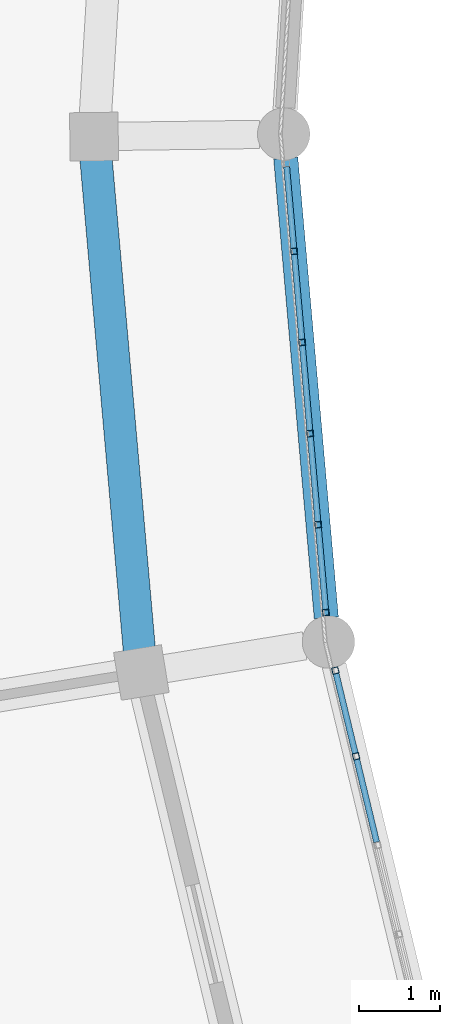
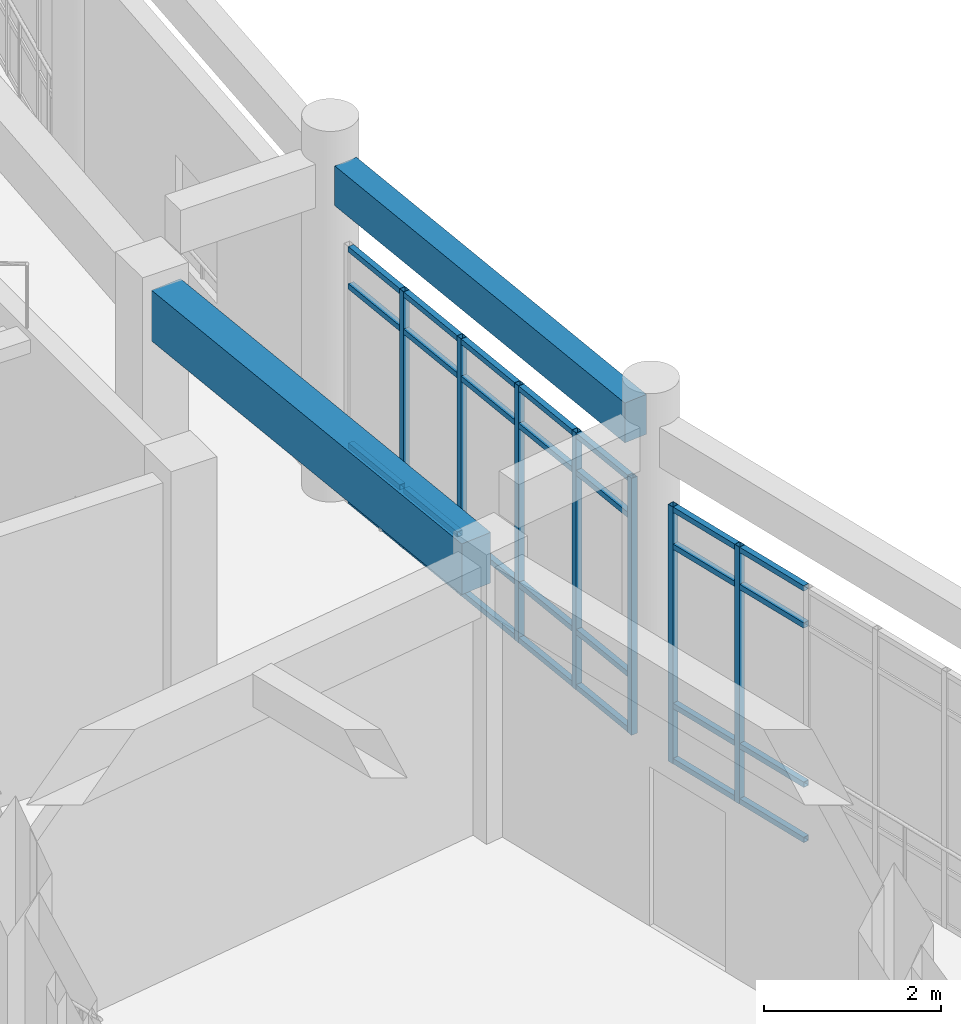
# One storey, part 27 of 159: 35 members, 2 beams, 2 elements without a shape of their own.
"""IFC4 building model written with IfcOpenShell, lengths in metres."""

from ifc_helpers import new_model, si_unit, direction, frame, origin, origin_2d, place, context, subcontext, project, spatial, rectangle, hollow_rectangle, extrude, material, material_profile, profile_set, type_object, element, aggregate, save


model = new_model("IFC4")

# Units and contexts
model_context = context("Model", 3, precision=1e-05, world=origin(), true_north=direction((0.0, 1.0)))
body_context = subcontext(model_context, "Body", "Model", "MODEL_VIEW")
ifc_project = project(units=[si_unit("LENGTHUNIT", "METRE"), si_unit("AREAUNIT", "SQUARE_METRE"), si_unit("VOLUMEUNIT", "CUBIC_METRE"), si_unit("PLANEANGLEUNIT", "RADIAN"), si_unit("MASSUNIT", "GRAM", prefix="KILO")], contexts=[model_context])

# Site, building, storey
site_placement = place(None, origin())
site = spatial("IfcSite", under=ifc_project, at=site_placement, CompositionType="ELEMENT")
building_placement = place(site_placement, origin())
building = spatial("IfcBuilding", under=site, at=building_placement, Name="Celadon Cloister-Ring School", CompositionType="ELEMENT")
storey_placement = place(building_placement, frame((0.0, 0.0, 4.5)))
storey = spatial("IfcBuildingStorey", under=building, at=storey_placement, Name="L01", CompositionType="ELEMENT", Elevation=4.5)

# Curtain wall, members
ifc_material_1 = material(Name="Aluminium EN AW-6063 T6", Category="aluminium")
curtain_wall_type = type_object("IfcCurtainWallType", Name="CW-01", PredefinedType="USERDEFINED", material=ifc_material_1)
curtain_wall_1_placement = place(storey_placement, origin())
curtain_wall_1 = element("IfcCurtainWall", 1, at=curtain_wall_1_placement, inside=storey, type_object=curtain_wall_type, Name="Curtain Wall 0025", ObjectType="CURTAIN WALL", PredefinedType="USERDEFINED")
ifc_material_2 = material(Name="Aluminium EN AW-6063 T6", Category="aluminium")
ifc_material_profile_1 = material_profile(ifc_material_2, hollow_rectangle(XDim=0.080078125, YDim=0.080078125, WallThickness=0.00390625, at=origin_2d()), Name="RHS80X80X4")
ifc_profile_set_1 = profile_set([ifc_material_profile_1], Name="Aluminium EN AW-6063 T6")
member_type_1 = type_object("IfcMemberType", Name="CM-03", PredefinedType="MULLION", material=ifc_profile_set_1)
member_1_placement = place(storey_placement, frame((44.482421875, 56.956787109375, 0.0), z_axis=(0.0, 0.0, 1.0), x_axis=(0.996148002222, 0.087687842199, 0.0)))
member_1 = element("IfcMember", 2, at=member_1_placement, type_object=member_type_1, Name="CW-01 mullion 2", PredefinedType="MULLION", context=body_context, shape_type="SweptSolid", body=[
    extrude(hollow_rectangle(XDim=0.080078125, YDim=0.080078125, WallThickness=0.00390625, at=origin_2d()), origin(), (0.0, 0.0, 1.0), 3.550048828125),
])
member_2_placement = place(storey_placement, frame((44.581787109375, 55.82763671875, 0.0), z_axis=(0.0, 0.0, 1.0), x_axis=(0.996148002222, 0.087687842199, 0.0)))
member_2 = element("IfcMember", 3, at=member_2_placement, type_object=member_type_1, Name="CW-01 mullion 3", PredefinedType="MULLION", context=body_context, shape_type="SweptSolid", body=[
    extrude(hollow_rectangle(XDim=0.080078125, YDim=0.080078125, WallThickness=0.00390625, at=origin_2d()), origin(), (0.0, 0.0, 1.0), 3.550048828125),
])
member_3_placement = place(storey_placement, frame((44.68115234375, 54.698486328125, 0.0), z_axis=(0.0, 0.0, 1.0), x_axis=(0.996148002222, 0.087687842199, 0.0)))
member_3 = element("IfcMember", 4, at=member_3_placement, type_object=member_type_1, Name="CW-01 mullion 4", PredefinedType="MULLION", context=body_context, shape_type="SweptSolid", body=[
    extrude(hollow_rectangle(XDim=0.080078125, YDim=0.080078125, WallThickness=0.00390625, at=origin_2d()), origin(), (0.0, 0.0, 1.0), 3.550048828125),
])
member_4_placement = place(storey_placement, frame((44.780517578125, 53.569091796875, 0.0), z_axis=(0.0, 0.0, 1.0), x_axis=(0.996148002222, 0.087687842199, 0.0)))
member_4 = element("IfcMember", 5, at=member_4_placement, type_object=member_type_1, Name="CW-01 mullion 5", PredefinedType="MULLION", context=body_context, shape_type="SweptSolid", body=[
    extrude(hollow_rectangle(XDim=0.080078125, YDim=0.080078125, WallThickness=0.00390625, at=origin_2d()), origin(), (0.0, 0.0, 1.0), 3.550048828125),
])
member_5_placement = place(storey_placement, frame((44.87646484375, 52.479736328125, 0.0), z_axis=(0.0, 0.0, 1.0), x_axis=(0.996148002222, 0.087687842199, 0.0)))
member_5 = element("IfcMember", 6, at=member_5_placement, type_object=member_type_1, Name="CW-01 mullion 6", PredefinedType="MULLION", context=body_context, shape_type="SweptSolid", body=[
    extrude(hollow_rectangle(XDim=0.080078125, YDim=0.080078125, WallThickness=0.00390625, at=origin_2d()), origin(), (0.0, 0.0, 1.0), 3.550048828125),
])

curtain_wall_2_placement = place(storey_placement, origin())
curtain_wall_2 = element("IfcCurtainWall", 7, at=curtain_wall_2_placement, inside=storey, type_object=curtain_wall_type, Name="Curtain Wall 0026", ObjectType="CURTAIN WALL", PredefinedType="USERDEFINED")
member_6_placement = place(storey_placement, frame((44.994384765625, 51.76123046875, 0.0), z_axis=(0.0, 0.0, 1.0), x_axis=(0.972212485146, 0.234100157469, 0.0)))
member_6 = element("IfcMember", 8, at=member_6_placement, type_object=member_type_1, Name="CW-01 mullion 1", PredefinedType="MULLION", context=body_context, shape_type="SweptSolid", body=[
    extrude(hollow_rectangle(XDim=0.080078125, YDim=0.080078125, WallThickness=0.00390625, at=origin_2d()), origin(), (0.0, 0.0, 1.0), 3.550048828125),
])
member_7_placement = place(storey_placement, frame((45.25048828125, 50.69775390625, 0.0), z_axis=(0.0, 0.0, 1.0), x_axis=(0.972212485146, 0.234100157469, 0.0)))
member_7 = element("IfcMember", 9, at=member_7_placement, type_object=member_type_1, Name="CW-01 mullion 2", PredefinedType="MULLION", context=body_context, shape_type="SweptSolid", body=[
    extrude(hollow_rectangle(XDim=0.080078125, YDim=0.080078125, WallThickness=0.00390625, at=origin_2d()), origin(), (0.0, 0.0, 1.0), 3.550048828125),
])

# Member
ifc_material_3 = material(Name="Aluminium EN AW-6063 T6", Category="aluminium")
ifc_material_profile_2 = material_profile(ifc_material_3, hollow_rectangle(XDim=0.074951171875, YDim=0.074951171875, WallThickness=0.00390625, at=origin_2d()), Name="RHS75X75X4")
ifc_profile_set_2 = profile_set([ifc_material_profile_2], Name="Aluminium EN AW-6063 T6")
member_type_2 = type_object("IfcMemberType", Name="CTM-03", PredefinedType="USERDEFINED", material=ifc_profile_set_2)
member_8_placement = place(storey_placement, frame((44.39013671875, 58.00634765625, 0.03759765625), z_axis=(0.087668878236, -0.996149671379, 0.0), x_axis=(0.996149671379, 0.087668878236, 0.0)))
member_8 = element("IfcMember", 10, at=member_8_placement, type_object=member_type_2, Name="CW-01 transom 1.1", ObjectType="TRANSOM", PredefinedType="USERDEFINED", context=body_context, shape_type="SweptSolid", body=[
    extrude(hollow_rectangle(XDim=0.074951171875, YDim=0.074951171875, WallThickness=0.00390625, at=origin_2d()), origin(), (0.0, 0.0, 1.0), 1.013671875),
])

member_9_placement = place(storey_placement, frame((44.39013671875, 58.00634765625, 0.800048828125), z_axis=(0.087668878236, -0.996149671379, 0.0), x_axis=(0.996149671379, 0.087668878236, 0.0)))
member_9 = element("IfcMember", 11, at=member_9_placement, type_object=member_type_2, Name="CW-01 transom 1.2", ObjectType="TRANSOM", PredefinedType="USERDEFINED", context=body_context, shape_type="SweptSolid", body=[
    extrude(hollow_rectangle(XDim=0.074951171875, YDim=0.074951171875, WallThickness=0.00390625, at=origin_2d()), origin(), (0.0, 0.0, 1.0), 1.013671875),
])

member_10_placement = place(storey_placement, frame((44.39013671875, 58.00634765625, 3.0), z_axis=(0.087668878236, -0.996149671379, 0.0), x_axis=(0.996149671379, 0.087668878236, 0.0)))
member_10 = element("IfcMember", 12, at=member_10_placement, type_object=member_type_2, Name="CW-01 transom 1.3", ObjectType="TRANSOM", PredefinedType="USERDEFINED", context=body_context, shape_type="SweptSolid", body=[
    extrude(hollow_rectangle(XDim=0.074951171875, YDim=0.074951171875, WallThickness=0.00390625, at=origin_2d()), origin(), (0.0, 0.0, 1.0), 1.013671875),
])

member_11_placement = place(storey_placement, frame((44.39013671875, 58.00634765625, 3.512451171875), z_axis=(0.087668878236, -0.996149671379, 0.0), x_axis=(0.996149671379, 0.087668878236, 0.0)))
member_11 = element("IfcMember", 13, at=member_11_placement, type_object=member_type_2, Name="CW-01 transom 1.4", ObjectType="TRANSOM", PredefinedType="USERDEFINED", context=body_context, shape_type="SweptSolid", body=[
    extrude(hollow_rectangle(XDim=0.074951171875, YDim=0.074951171875, WallThickness=0.00390625, at=origin_2d()), origin(), (0.0, 0.0, 1.0), 1.013671875),
])

member_12_placement = place(storey_placement, frame((44.48583984375, 56.9169921875, 0.03759765625), z_axis=(0.087819423051, -0.996136410807, 0.0), x_axis=(0.996136410807, 0.087819423051, 0.0)))
member_12 = element("IfcMember", 14, at=member_12_placement, type_object=member_type_2, Name="CW-01 transom 2.1", ObjectType="TRANSOM", PredefinedType="USERDEFINED", context=body_context, shape_type="SweptSolid", body=[
    extrude(hollow_rectangle(XDim=0.074951171875, YDim=0.074951171875, WallThickness=0.00390625, at=origin_2d()), origin(), (0.0, 0.0, 1.0), 1.0537109375),
])

member_13_placement = place(storey_placement, frame((44.48583984375, 56.9169921875, 0.800048828125), z_axis=(0.087819423051, -0.996136410807, 0.0), x_axis=(0.996136410807, 0.087819423051, 0.0)))
member_13 = element("IfcMember", 15, at=member_13_placement, type_object=member_type_2, Name="CW-01 transom 2.2", ObjectType="TRANSOM", PredefinedType="USERDEFINED", context=body_context, shape_type="SweptSolid", body=[
    extrude(hollow_rectangle(XDim=0.074951171875, YDim=0.074951171875, WallThickness=0.00390625, at=origin_2d()), origin(), (0.0, 0.0, 1.0), 1.0537109375),
])

member_14_placement = place(storey_placement, frame((44.48583984375, 56.9169921875, 3.0), z_axis=(0.087819423051, -0.996136410807, 0.0), x_axis=(0.996136410807, 0.087819423051, 0.0)))
member_14 = element("IfcMember", 16, at=member_14_placement, type_object=member_type_2, Name="CW-01 transom 2.3", ObjectType="TRANSOM", PredefinedType="USERDEFINED", context=body_context, shape_type="SweptSolid", body=[
    extrude(hollow_rectangle(XDim=0.074951171875, YDim=0.074951171875, WallThickness=0.00390625, at=origin_2d()), origin(), (0.0, 0.0, 1.0), 1.0537109375),
])

member_15_placement = place(storey_placement, frame((44.48583984375, 56.9169921875, 3.512451171875), z_axis=(0.087819423051, -0.996136410807, 0.0), x_axis=(0.996136410807, 0.087819423051, 0.0)))
member_15 = element("IfcMember", 17, at=member_15_placement, type_object=member_type_2, Name="CW-01 transom 2.4", ObjectType="TRANSOM", PredefinedType="USERDEFINED", context=body_context, shape_type="SweptSolid", body=[
    extrude(hollow_rectangle(XDim=0.074951171875, YDim=0.074951171875, WallThickness=0.00390625, at=origin_2d()), origin(), (0.0, 0.0, 1.0), 1.0537109375),
])

member_16_placement = place(storey_placement, frame((44.585205078125, 55.787841796875, 0.03759765625), z_axis=(0.087819423051, -0.996136410807, 0.0), x_axis=(0.996136410807, 0.087819423051, 0.0)))
member_16 = element("IfcMember", 18, at=member_16_placement, type_object=member_type_2, Name="CW-01 transom 3.1", ObjectType="TRANSOM", PredefinedType="USERDEFINED", context=body_context, shape_type="SweptSolid", body=[
    extrude(hollow_rectangle(XDim=0.074951171875, YDim=0.074951171875, WallThickness=0.00390625, at=origin_2d()), origin(), (0.0, 0.0, 1.0), 1.0537109375),
])

member_17_placement = place(storey_placement, frame((44.585205078125, 55.787841796875, 0.800048828125), z_axis=(0.087819423051, -0.996136410807, 0.0), x_axis=(0.996136410807, 0.087819423051, 0.0)))
member_17 = element("IfcMember", 19, at=member_17_placement, type_object=member_type_2, Name="CW-01 transom 3.2", ObjectType="TRANSOM", PredefinedType="USERDEFINED", context=body_context, shape_type="SweptSolid", body=[
    extrude(hollow_rectangle(XDim=0.074951171875, YDim=0.074951171875, WallThickness=0.00390625, at=origin_2d()), origin(), (0.0, 0.0, 1.0), 1.0537109375),
])

member_18_placement = place(storey_placement, frame((44.585205078125, 55.787841796875, 3.0), z_axis=(0.087819423051, -0.996136410807, 0.0), x_axis=(0.996136410807, 0.087819423051, 0.0)))
member_18 = element("IfcMember", 20, at=member_18_placement, type_object=member_type_2, Name="CW-01 transom 3.3", ObjectType="TRANSOM", PredefinedType="USERDEFINED", context=body_context, shape_type="SweptSolid", body=[
    extrude(hollow_rectangle(XDim=0.074951171875, YDim=0.074951171875, WallThickness=0.00390625, at=origin_2d()), origin(), (0.0, 0.0, 1.0), 1.0537109375),
])

member_19_placement = place(storey_placement, frame((44.585205078125, 55.787841796875, 3.512451171875), z_axis=(0.087819423051, -0.996136410807, 0.0), x_axis=(0.996136410807, 0.087819423051, 0.0)))
member_19 = element("IfcMember", 21, at=member_19_placement, type_object=member_type_2, Name="CW-01 transom 3.4", ObjectType="TRANSOM", PredefinedType="USERDEFINED", context=body_context, shape_type="SweptSolid", body=[
    extrude(hollow_rectangle(XDim=0.074951171875, YDim=0.074951171875, WallThickness=0.00390625, at=origin_2d()), origin(), (0.0, 0.0, 1.0), 1.0537109375),
])

member_20_placement = place(storey_placement, frame((44.684814453125, 54.658447265625, 0.03759765625), z_axis=(0.08760971228, -0.99615487667, 0.0), x_axis=(0.99615487667, 0.08760971228, 0.0)))
member_20 = element("IfcMember", 22, at=member_20_placement, type_object=member_type_2, Name="CW-01 transom 4.1", ObjectType="TRANSOM", PredefinedType="USERDEFINED", context=body_context, shape_type="SweptSolid", body=[
    extrude(hollow_rectangle(XDim=0.074951171875, YDim=0.074951171875, WallThickness=0.00390625, at=origin_2d()), origin(), (0.0, 0.0, 1.0), 1.053466796875),
])

member_21_placement = place(storey_placement, frame((44.684814453125, 54.658447265625, 0.800048828125), z_axis=(0.08760971228, -0.99615487667, 0.0), x_axis=(0.99615487667, 0.08760971228, 0.0)))
member_21 = element("IfcMember", 23, at=member_21_placement, type_object=member_type_2, Name="CW-01 transom 4.2", ObjectType="TRANSOM", PredefinedType="USERDEFINED", context=body_context, shape_type="SweptSolid", body=[
    extrude(hollow_rectangle(XDim=0.074951171875, YDim=0.074951171875, WallThickness=0.00390625, at=origin_2d()), origin(), (0.0, 0.0, 1.0), 1.053466796875),
])

member_22_placement = place(storey_placement, frame((44.684814453125, 54.658447265625, 3.0), z_axis=(0.08760971228, -0.99615487667, 0.0), x_axis=(0.99615487667, 0.08760971228, 0.0)))
member_22 = element("IfcMember", 24, at=member_22_placement, type_object=member_type_2, Name="CW-01 transom 4.3", ObjectType="TRANSOM", PredefinedType="USERDEFINED", context=body_context, shape_type="SweptSolid", body=[
    extrude(hollow_rectangle(XDim=0.074951171875, YDim=0.074951171875, WallThickness=0.00390625, at=origin_2d()), origin(), (0.0, 0.0, 1.0), 1.053466796875),
])

member_23_placement = place(storey_placement, frame((44.684814453125, 54.658447265625, 3.512451171875), z_axis=(0.08760971228, -0.99615487667, 0.0), x_axis=(0.99615487667, 0.08760971228, 0.0)))
member_23 = element("IfcMember", 25, at=member_23_placement, type_object=member_type_2, Name="CW-01 transom 4.4", ObjectType="TRANSOM", PredefinedType="USERDEFINED", context=body_context, shape_type="SweptSolid", body=[
    extrude(hollow_rectangle(XDim=0.074951171875, YDim=0.074951171875, WallThickness=0.00390625, at=origin_2d()), origin(), (0.0, 0.0, 1.0), 1.053466796875),
])

member_24_placement = place(storey_placement, frame((44.7841796875, 53.529296875, 0.03759765625), z_axis=(0.087689916888, -0.996147819591, 0.0), x_axis=(0.996147819591, 0.087689916888, 0.0)))
member_24 = element("IfcMember", 26, at=member_24_placement, type_object=member_type_2, Name="CW-01 transom 5.1", ObjectType="TRANSOM", PredefinedType="USERDEFINED", context=body_context, shape_type="SweptSolid", body=[
    extrude(hollow_rectangle(XDim=0.074951171875, YDim=0.074951171875, WallThickness=0.00390625, at=origin_2d()), origin(), (0.0, 0.0, 1.0), 1.013427734375),
])

member_25_placement = place(storey_placement, frame((44.7841796875, 53.529296875, 0.800048828125), z_axis=(0.087689916888, -0.996147819591, 0.0), x_axis=(0.996147819591, 0.087689916888, 0.0)))
member_25 = element("IfcMember", 27, at=member_25_placement, type_object=member_type_2, Name="CW-01 transom 5.2", ObjectType="TRANSOM", PredefinedType="USERDEFINED", context=body_context, shape_type="SweptSolid", body=[
    extrude(hollow_rectangle(XDim=0.074951171875, YDim=0.074951171875, WallThickness=0.00390625, at=origin_2d()), origin(), (0.0, 0.0, 1.0), 1.013427734375),
])

member_26_placement = place(storey_placement, frame((44.7841796875, 53.529296875, 3.0), z_axis=(0.087689916888, -0.996147819591, 0.0), x_axis=(0.996147819591, 0.087689916888, 0.0)))
member_26 = element("IfcMember", 28, at=member_26_placement, type_object=member_type_2, Name="CW-01 transom 5.3", ObjectType="TRANSOM", PredefinedType="USERDEFINED", context=body_context, shape_type="SweptSolid", body=[
    extrude(hollow_rectangle(XDim=0.074951171875, YDim=0.074951171875, WallThickness=0.00390625, at=origin_2d()), origin(), (0.0, 0.0, 1.0), 1.013427734375),
])

member_27_placement = place(storey_placement, frame((44.7841796875, 53.529296875, 3.512451171875), z_axis=(0.087689916888, -0.996147819591, 0.0), x_axis=(0.996147819591, 0.087689916888, 0.0)))
member_27 = element("IfcMember", 29, at=member_27_placement, type_object=member_type_2, Name="CW-01 transom 5.4", ObjectType="TRANSOM", PredefinedType="USERDEFINED", context=body_context, shape_type="SweptSolid", body=[
    extrude(hollow_rectangle(XDim=0.074951171875, YDim=0.074951171875, WallThickness=0.00390625, at=origin_2d()), origin(), (0.0, 0.0, 1.0), 1.013427734375),
])

aggregate(curtain_wall_1, [member_1, member_2, member_3, member_4, member_5, member_8, member_9, member_10, member_11, member_12, member_13, member_14, member_15, member_16, member_17, member_18, member_19, member_20, member_21, member_22, member_23, member_24, member_25, member_26, member_27])

member_28_placement = place(storey_placement, frame((45.003662109375, 51.72216796875, 0.03759765625), z_axis=(0.234083346543, -0.972216532914, 0.0), x_axis=(0.972216532914, 0.234083346543, 0.0)))
member_28 = element("IfcMember", 30, at=member_28_placement, type_object=member_type_2, Name="CW-01 transom 1.1", ObjectType="TRANSOM", PredefinedType="USERDEFINED", context=body_context, shape_type="SweptSolid", body=[
    extrude(hollow_rectangle(XDim=0.074951171875, YDim=0.074951171875, WallThickness=0.00390625, at=origin_2d()), origin(), (0.0, 0.0, 1.0), 1.013671875),
])

member_29_placement = place(storey_placement, frame((45.003662109375, 51.72216796875, 0.800048828125), z_axis=(0.234083346543, -0.972216532914, 0.0), x_axis=(0.972216532914, 0.234083346543, 0.0)))
member_29 = element("IfcMember", 31, at=member_29_placement, type_object=member_type_2, Name="CW-01 transom 1.2", ObjectType="TRANSOM", PredefinedType="USERDEFINED", context=body_context, shape_type="SweptSolid", body=[
    extrude(hollow_rectangle(XDim=0.074951171875, YDim=0.074951171875, WallThickness=0.00390625, at=origin_2d()), origin(), (0.0, 0.0, 1.0), 1.013671875),
])

member_30_placement = place(storey_placement, frame((45.003662109375, 51.72216796875, 3.0), z_axis=(0.234083346543, -0.972216532914, 0.0), x_axis=(0.972216532914, 0.234083346543, 0.0)))
member_30 = element("IfcMember", 32, at=member_30_placement, type_object=member_type_2, Name="CW-01 transom 1.3", ObjectType="TRANSOM", PredefinedType="USERDEFINED", context=body_context, shape_type="SweptSolid", body=[
    extrude(hollow_rectangle(XDim=0.074951171875, YDim=0.074951171875, WallThickness=0.00390625, at=origin_2d()), origin(), (0.0, 0.0, 1.0), 1.013671875),
])

member_31_placement = place(storey_placement, frame((45.003662109375, 51.72216796875, 3.512451171875), z_axis=(0.234083346543, -0.972216532914, 0.0), x_axis=(0.972216532914, 0.234083346543, 0.0)))
member_31 = element("IfcMember", 33, at=member_31_placement, type_object=member_type_2, Name="CW-01 transom 1.4", ObjectType="TRANSOM", PredefinedType="USERDEFINED", context=body_context, shape_type="SweptSolid", body=[
    extrude(hollow_rectangle(XDim=0.074951171875, YDim=0.074951171875, WallThickness=0.00390625, at=origin_2d()), origin(), (0.0, 0.0, 1.0), 1.013671875),
])

member_32_placement = place(storey_placement, frame((45.259765625, 50.658935546875, 0.03759765625), z_axis=(0.234021392325, -0.972231447719, 0.0), x_axis=(0.972231447719, 0.234021392325, 0.0)))
member_32 = element("IfcMember", 34, at=member_32_placement, type_object=member_type_2, Name="CW-01 transom 2.1", ObjectType="TRANSOM", PredefinedType="USERDEFINED", context=body_context, shape_type="SweptSolid", body=[
    extrude(hollow_rectangle(XDim=0.074951171875, YDim=0.074951171875, WallThickness=0.00390625, at=origin_2d()), origin(), (0.0, 0.0, 1.0), 1.0537109375),
])

member_33_placement = place(storey_placement, frame((45.259765625, 50.658935546875, 0.800048828125), z_axis=(0.234021392325, -0.972231447719, 0.0), x_axis=(0.972231447719, 0.234021392325, 0.0)))
member_33 = element("IfcMember", 35, at=member_33_placement, type_object=member_type_2, Name="CW-01 transom 2.2", ObjectType="TRANSOM", PredefinedType="USERDEFINED", context=body_context, shape_type="SweptSolid", body=[
    extrude(hollow_rectangle(XDim=0.074951171875, YDim=0.074951171875, WallThickness=0.00390625, at=origin_2d()), origin(), (0.0, 0.0, 1.0), 1.0537109375),
])

member_34_placement = place(storey_placement, frame((45.259765625, 50.658935546875, 3.0), z_axis=(0.234021392325, -0.972231447719, 0.0), x_axis=(0.972231447719, 0.234021392325, 0.0)))
member_34 = element("IfcMember", 36, at=member_34_placement, type_object=member_type_2, Name="CW-01 transom 2.3", ObjectType="TRANSOM", PredefinedType="USERDEFINED", context=body_context, shape_type="SweptSolid", body=[
    extrude(hollow_rectangle(XDim=0.074951171875, YDim=0.074951171875, WallThickness=0.00390625, at=origin_2d()), origin(), (0.0, 0.0, 1.0), 1.0537109375),
])

member_35_placement = place(storey_placement, frame((45.259765625, 50.658935546875, 3.512451171875), z_axis=(0.234021392325, -0.972231447719, 0.0), x_axis=(0.972231447719, 0.234021392325, 0.0)))
member_35 = element("IfcMember", 37, at=member_35_placement, type_object=member_type_2, Name="CW-01 transom 2.4", ObjectType="TRANSOM", PredefinedType="USERDEFINED", context=body_context, shape_type="SweptSolid", body=[
    extrude(hollow_rectangle(XDim=0.074951171875, YDim=0.074951171875, WallThickness=0.00390625, at=origin_2d()), origin(), (0.0, 0.0, 1.0), 1.0537109375),
])

aggregate(curtain_wall_2, [member_6, member_7, member_28, member_29, member_30, member_31, member_32, member_33, member_34, member_35])

# Beams
ifc_material_4 = material(Name="Concrete C35/45", Category="concrete")
ifc_material_profile_3 = material_profile(ifc_material_4, rectangle(XDim=0.39990234375, YDim=0.699951171875, at=origin_2d()), Name="RC400X700")
ifc_profile_set_3 = profile_set([ifc_material_profile_3], Name="Concrete C35/45")
beam_type_1 = type_object("IfcBeamType", Name="GT-03", PredefinedType="USERDEFINED", material=ifc_profile_set_3)
beam_1_placement = place(storey_placement, frame((42.028076171875, 58.10400390625, 3.429931640625), z_axis=(0.087929921019, -0.996126663126, 0.0), x_axis=(0.996126663126, 0.087929921019, 0.0)))
element("IfcBeam", 38, at=beam_1_placement, inside=storey, type_object=beam_type_1, Name="Beam 0295", ObjectType="GIRDER", PredefinedType="USERDEFINED", context=body_context, shape_type="SweptSolid", body=[
    extrude(rectangle(XDim=0.39990234375, YDim=0.699951171875, at=origin_2d()), origin(), (0.0, 0.0, 1.0), 6.11669921875),
])
ifc_material_5 = material(Name="Concrete C35/45", Category="concrete")
ifc_material_profile_4 = material_profile(ifc_material_5, rectangle(XDim=0.300048828125, YDim=0.550048828125, at=origin_2d()), Name="RC300X550")
ifc_profile_set_4 = profile_set([ifc_material_profile_4], Name="Concrete C35/45")
beam_type_2 = type_object("IfcBeamType", Name="SP-02", PredefinedType="SPANDREL", material=ifc_profile_set_4)
beam_2_placement = place(storey_placement, frame((44.3798828125, 58.111083984375, 4.375), z_axis=(0.087994739021, -0.996120939397, 0.0), x_axis=(0.996120939397, 0.087994739021, 0.0)))
element("IfcBeam", 39, at=beam_2_placement, inside=storey, type_object=beam_type_2, Name="Beam 0296", PredefinedType="SPANDREL", context=body_context, shape_type="SweptSolid", body=[
    extrude(rectangle(XDim=0.300048828125, YDim=0.550048828125, at=origin_2d()), origin(), (0.0, 0.0, 1.0), 5.71826171875),
])

save(model, "model.ifc")
